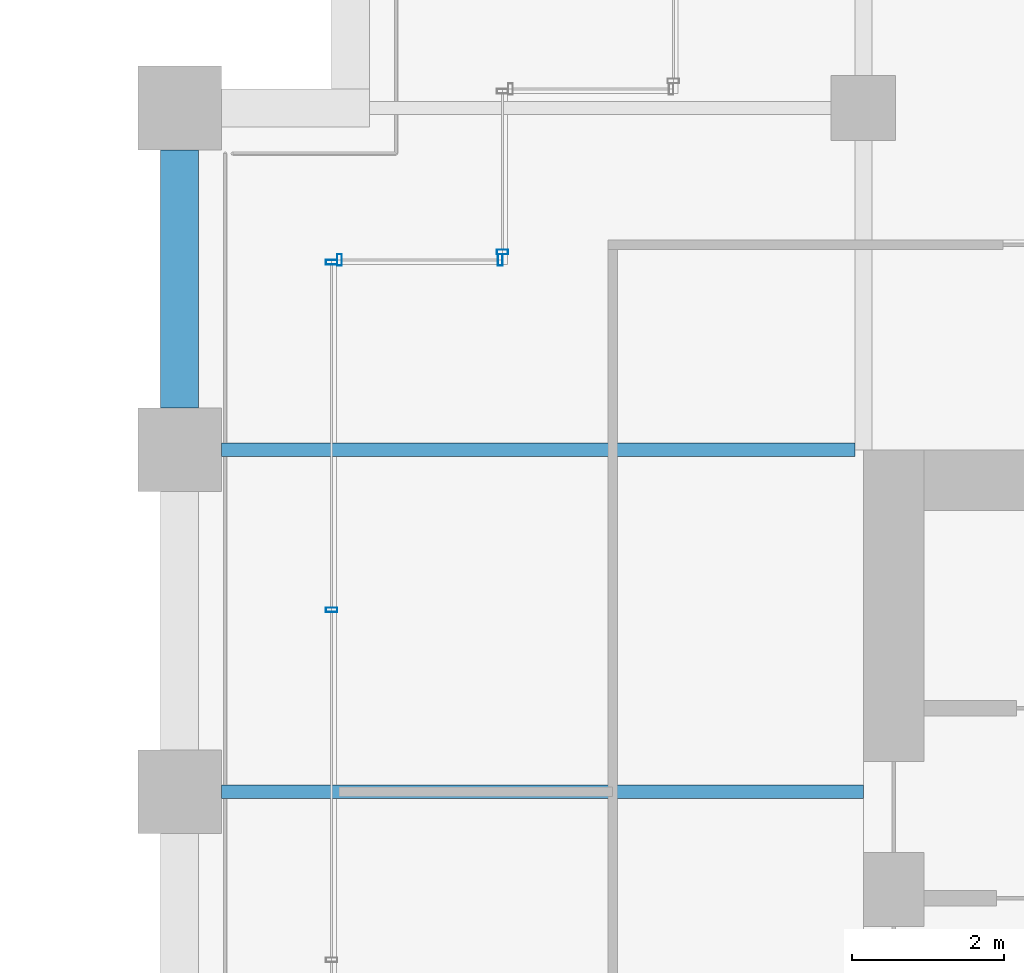
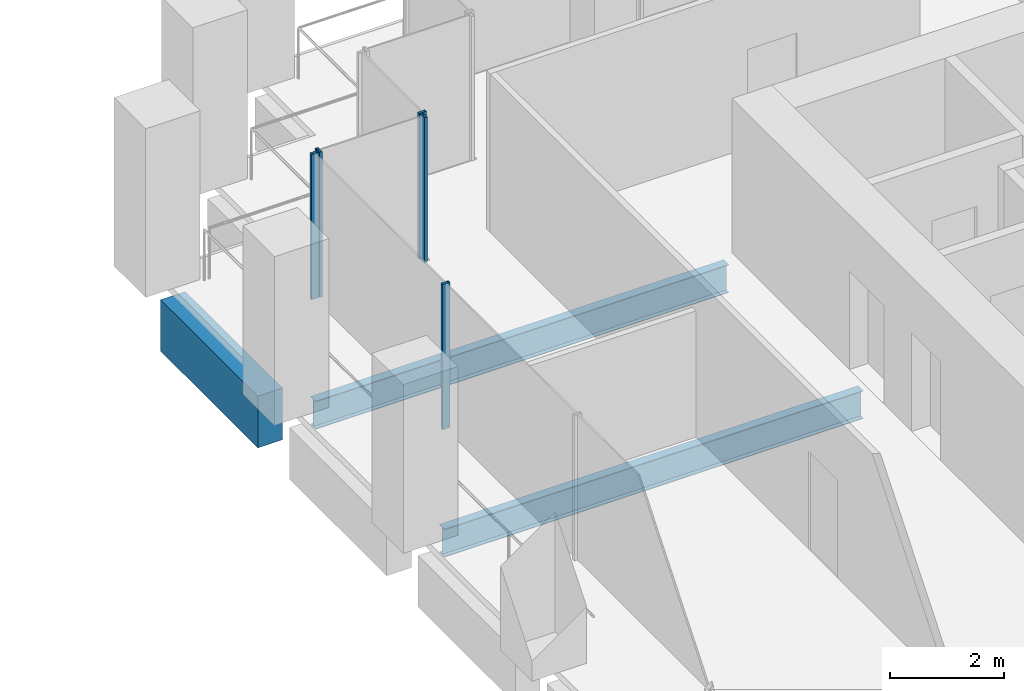
# One storey, part 40 of 56: 5 members, 3 beams, 3 elements without a shape of their own.
"""IFC4 building model written with IfcOpenShell, lengths in metres."""

from ifc_helpers import new_model, si_unit, direction, frame, origin, origin_2d, place, context, subcontext, project, spatial, rectangle, hollow_rectangle, i_section, extrude, material, material_profile, profile_set, type_object, element, aggregate, save


model = new_model("IFC4")

# Units and contexts
model_context = context("Model", 3, precision=1e-05, world=origin(), true_north=direction((0.0, 1.0)))
body_context = subcontext(model_context, "Body", "Model", "MODEL_VIEW")
ifc_project = project(units=[si_unit("LENGTHUNIT", "METRE"), si_unit("AREAUNIT", "SQUARE_METRE"), si_unit("VOLUMEUNIT", "CUBIC_METRE"), si_unit("PLANEANGLEUNIT", "RADIAN"), si_unit("MASSUNIT", "GRAM", prefix="KILO")], contexts=[model_context])

# Site, building, storey
site_placement = place(None, origin())
site = spatial("IfcSite", under=ifc_project, at=site_placement, CompositionType="ELEMENT")
building_placement = place(site_placement, origin())
building = spatial("IfcBuilding", under=site, at=building_placement, Name="Altepetl Exchange Towers", CompositionType="ELEMENT")
storey_placement = place(building_placement, frame((0.0, 0.0, 83.39990234375)))
storey = spatial("IfcBuildingStorey", under=building, at=storey_placement, Name="L20", CompositionType="ELEMENT", Elevation=83.39990234375)

# Beams
ifc_material_1 = material(Name="Steel S355", Category="steel")
ifc_material_profile_1 = material_profile(ifc_material_1, i_section(OverallWidth=0.177978515625, OverallDepth=0.59912109375, WebThickness=0.010009765625, FlangeThickness=0.0126953125, at=origin_2d()), Name="W24X55")
ifc_profile_set_1 = profile_set([ifc_material_profile_1], Name="Steel S355")
beam_type_1 = type_object("IfcBeamType", Name="Floor beam W24X55", PredefinedType="BEAM", material=ifc_profile_set_1)
beam_1_placement = place(storey_placement, frame((95.050048828125, 45.0, -0.449462890625), z_axis=(1.0, 0.0, 0.0), x_axis=(0.0, 1.0, 0.0)))
element("IfcBeam", 1, at=beam_1_placement, inside=storey, type_object=beam_type_1, Name="bm:B:L20:013", PredefinedType="BEAM", context=body_context, shape_type="SweptSolid", body=[
    extrude(i_section(OverallWidth=0.177978515625, OverallDepth=0.59912109375, WebThickness=0.010009765625, FlangeThickness=0.0126953125, at=origin_2d()), origin(), (0.0, 0.0, 1.0), 8.449951171875),
])
beam_2_placement = place(storey_placement, frame((95.050048828125, 49.5, -0.449462890625), z_axis=(1.0, 0.0, 0.0), x_axis=(0.0, 1.0, 0.0)))
element("IfcBeam", 2, at=beam_2_placement, inside=storey, type_object=beam_type_1, Name="bm:B:L20:014", PredefinedType="BEAM", context=body_context, shape_type="SweptSolid", body=[
    extrude(i_section(OverallWidth=0.177978515625, OverallDepth=0.59912109375, WebThickness=0.010009765625, FlangeThickness=0.0126953125, at=origin_2d()), origin(), (0.0, 0.0, 1.0), 8.3359375),
])

# Curtain wall, members
ifc_material_2 = material(Name="Aluminium 6063-T6 glazing", Category="aluminium")
curtain_wall_type = type_object("IfcCurtainWallType", Name="Loggia glazing system", PredefinedType="NOTDEFINED", material=ifc_material_2)
curtain_wall_1_placement = place(storey_placement, origin())
curtain_wall_1 = element("IfcCurtainWall", 3, at=curtain_wall_1_placement, inside=storey, type_object=curtain_wall_type, Name="CW1 run", PredefinedType="NOTDEFINED")
ifc_material_3 = material(Name="Aluminium 6063-T6", Category="aluminium")
ifc_material_profile_2 = material_profile(ifc_material_3, hollow_rectangle(XDim=0.06005859375, YDim=0.14990234375, WallThickness=0.0029296875, at=origin_2d()), Name="Mullion 60x150 aluminium")
ifc_profile_set_2 = profile_set([ifc_material_profile_2], Name="Aluminium 6063-T6")
member_type = type_object("IfcMemberType", Name="Mullion 60x150 aluminium", PredefinedType="MULLION", material=ifc_profile_set_2)
member_1_placement = place(storey_placement, frame((98.719970703125, 52.0, 0.0), z_axis=(0.0, 0.0, 1.0), x_axis=(-1.0, 0.0, 0.0)))
member_1 = element("IfcMember", 4, at=member_1_placement, type_object=member_type, Name="MU1 mullion", PredefinedType="MULLION", context=body_context, shape_type="SweptSolid", body=[
    extrude(hollow_rectangle(XDim=0.06005859375, YDim=0.14990234375, WallThickness=0.0029296875, at=origin_2d()), origin(), (0.0, 0.0, 1.0), 3.10009765625),
])
member_2_placement = place(storey_placement, frame((96.60498046875, 52.0, 0.0), z_axis=(0.0, 0.0, 1.0), x_axis=(-1.0, 0.0, 0.0)))
member_2 = element("IfcMember", 5, at=member_2_placement, type_object=member_type, Name="MU1 mullion", PredefinedType="MULLION", context=body_context, shape_type="SweptSolid", body=[
    extrude(hollow_rectangle(XDim=0.06005859375, YDim=0.14990234375, WallThickness=0.0029296875, at=origin_2d()), origin(), (0.0, 0.0, 1.0), 3.10009765625),
])
aggregate(curtain_wall_1, [member_1, member_2])

curtain_wall_2_placement = place(storey_placement, origin())
curtain_wall_2 = element("IfcCurtainWall", 6, at=curtain_wall_2_placement, inside=storey, type_object=curtain_wall_type, Name="CW1 run", PredefinedType="NOTDEFINED")
member_3_placement = place(storey_placement, frame((96.5, 51.969970703125, 0.0), z_axis=(0.0, 0.0, 1.0), x_axis=(0.0, -1.0, 0.0)))
member_3 = element("IfcMember", 7, at=member_3_placement, type_object=member_type, Name="MU1 mullion", PredefinedType="MULLION", context=body_context, shape_type="SweptSolid", body=[
    extrude(hollow_rectangle(XDim=0.06005859375, YDim=0.14990234375, WallThickness=0.0029296875, at=origin_2d()), origin(), (0.0, 0.0, 1.0), 3.10009765625),
])
member_4_placement = place(storey_placement, frame((96.5, 47.393798828125, 0.0), z_axis=(0.0, 0.0, 1.0), x_axis=(0.0, -1.0, 0.0)))
member_4 = element("IfcMember", 8, at=member_4_placement, type_object=member_type, Name="MU1 mullion", PredefinedType="MULLION", context=body_context, shape_type="SweptSolid", body=[
    extrude(hollow_rectangle(XDim=0.06005859375, YDim=0.14990234375, WallThickness=0.0029296875, at=origin_2d()), origin(), (0.0, 0.0, 1.0), 3.10009765625),
])
aggregate(curtain_wall_2, [member_3, member_4])

# Curtain wall, member
curtain_wall_3_placement = place(storey_placement, origin())
curtain_wall_3 = element("IfcCurtainWall", 9, at=curtain_wall_3_placement, inside=storey, type_object=curtain_wall_type, Name="CW1 run", PredefinedType="NOTDEFINED")
member_5_placement = place(storey_placement, frame((98.75, 52.10498046875, 0.0), z_axis=(0.0, 0.0, 1.0), x_axis=(0.0, -1.0, 0.0)))
member_5 = element("IfcMember", 10, at=member_5_placement, type_object=member_type, Name="MU1 mullion", PredefinedType="MULLION", context=body_context, shape_type="SweptSolid", body=[
    extrude(hollow_rectangle(XDim=0.06005859375, YDim=0.14990234375, WallThickness=0.0029296875, at=origin_2d()), origin(), (0.0, 0.0, 1.0), 3.10009765625),
])
aggregate(curtain_wall_3, [member_5])

# Beam
ifc_material_4 = material(Name="Concrete C50/60 precast with cantera rosa facing", Category="concrete")
ifc_material_profile_3 = material_profile(ifc_material_4, rectangle(XDim=0.5, YDim=1.10009765625, at=origin_2d()), Name="500 x 1100")
ifc_profile_set_3 = profile_set([ifc_material_profile_3], Name="Concrete C50/60 precast with cantera rosa facing")
beam_type_2 = type_object("IfcBeamType", Name="Spandrel beam 500x1100 cantera rosa", PredefinedType="SPANDREL", material=ifc_profile_set_3)
beam_3_placement = place(storey_placement, frame((94.5, 53.449951171875, -0.699951171875), z_axis=(0.0, -1.0, 0.0), x_axis=(1.0, 0.0, 0.0)))
element("IfcBeam", 11, at=beam_3_placement, inside=storey, type_object=beam_type_2, Name="sp:B:L20:027", PredefinedType="SPANDREL", context=body_context, shape_type="SweptSolid", body=[
    extrude(rectangle(XDim=0.5, YDim=1.10009765625, at=origin_2d()), origin(), (0.0, 0.0, 1.0), 3.39990234375),
])

save(model, "model.ifc")
